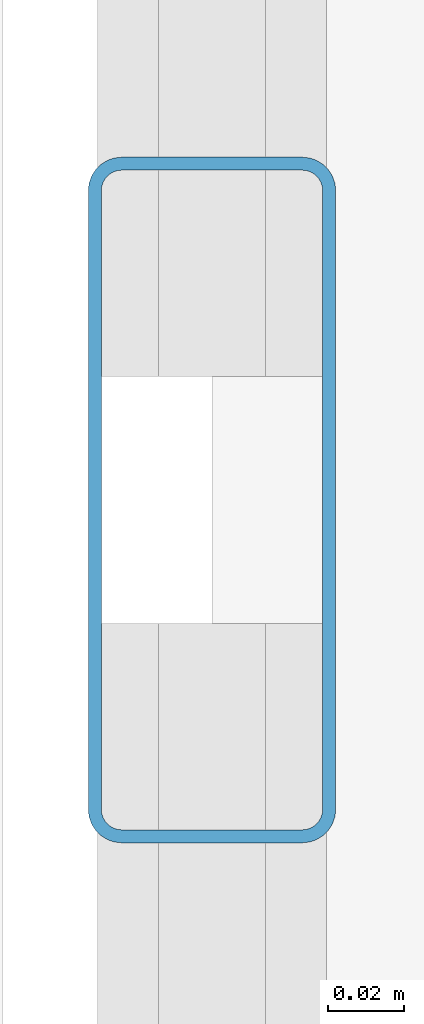
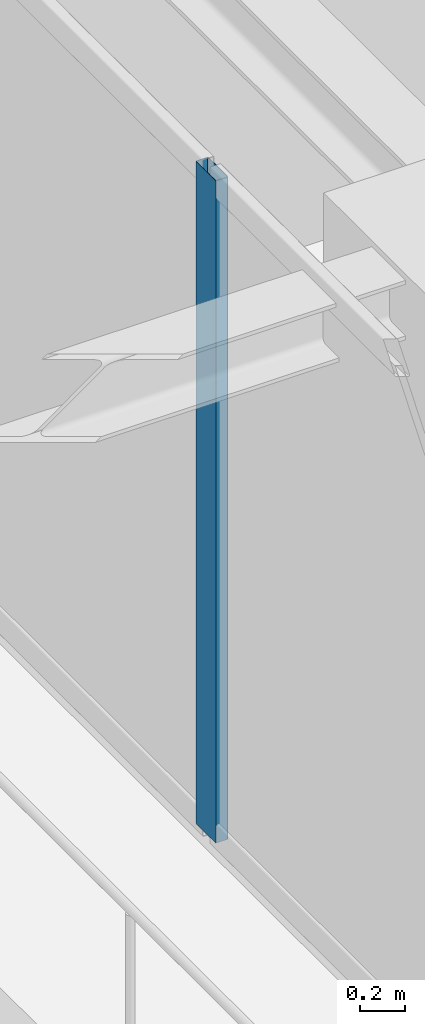
# One storey, part 7 of 37: 1 member, 1 element without a shape of its own.
"""IFC4 building model written with IfcOpenShell, lengths in metres."""

from ifc_helpers import new_model, si_unit, direction, frame, origin, origin_2d, place, context, subcontext, project, spatial, hollow_rectangle, extrude, source, transform, mapped, material, layer, layer_set, material_profile, profile_set, type_object, element, aggregate, save


model = new_model("IFC4")

# Units and contexts
model_context = context("Model", 3, precision=1e-05, world=origin(), true_north=direction((0.0, 1.0)))
body_context = subcontext(model_context, "Body", "Model", "MODEL_VIEW")
ifc_project = project(units=[si_unit("LENGTHUNIT", "METRE"), si_unit("AREAUNIT", "SQUARE_METRE"), si_unit("VOLUMEUNIT", "CUBIC_METRE"), si_unit("PLANEANGLEUNIT", "RADIAN"), si_unit("MASSUNIT", "GRAM", prefix="KILO")], contexts=[model_context])

# Site, building, storey
site_placement = place(None, origin())
site = spatial("IfcSite", under=ifc_project, at=site_placement, CompositionType="ELEMENT")
building_placement = place(site_placement, origin())
building = spatial("IfcBuilding", under=site, at=building_placement, Name="Serunith Strait Residences", CompositionType="ELEMENT")
storey_placement = place(building_placement, frame((0.0, 0.0, 233.550048828125)))
storey = spatial("IfcBuildingStorey", under=building, at=storey_placement, Name="L58", CompositionType="ELEMENT", Elevation=233.550048828125)

# Curtain wall, member
ifc_material = material(Name="Pale-Champagne Anodised Aluminium", Category="aluminium")
ifc_layer = layer(ifc_material, 0.199951171875, Name="Pale-Champagne Anodised Aluminium")
ifc_layer_set = layer_set([ifc_layer], Name="Pale-Champagne Anodised Aluminium")
curtain_wall_type = type_object("IfcCurtainWallType", Name="CW-SYS4", PredefinedType="NOTDEFINED", material=ifc_layer_set)
curtain_wall_placement = place(storey_placement, origin())
curtain_wall = element("IfcCurtainWall", 1, at=curtain_wall_placement, inside=storey, type_object=curtain_wall_type, Name="L58 W Unitised Fritted Curtain Wall", PredefinedType="NOTDEFINED")
ifc_material_profile = material_profile(ifc_material, hollow_rectangle(XDim=0.06494140625, YDim=0.179931640625, WallThickness=0.00341796875, InnerFilletRadius=0.00537109375, OuterFilletRadius=0.0087890625, at=origin_2d()), Name="ALU 180x65x3.5")
ifc_profile_set = profile_set([ifc_material_profile], Name="Pale-Champagne Anodised Aluminium")
member_type = type_object("IfcMemberType", Name="CW-SYS4-MULL", PredefinedType="MULLION", material=ifc_profile_set)
shared_shape = source(origin(), body_context, "Body", "SweptSolid", [
    extrude(hollow_rectangle(XDim=0.06494140625, YDim=0.179931640625, WallThickness=0.00341796875, InnerFilletRadius=0.00537109375, OuterFilletRadius=0.0087890625, at=origin_2d()), origin(), (0.0, 0.0, 1.0), 3.574951171875),
])
member_placement = place(storey_placement, frame((7.39990234375, 22.0, 0.0), z_axis=(0.0, 0.0, 1.0), x_axis=(1.0, 0.0, 0.0)))
member = element("IfcMember", 2, at=member_placement, type_object=member_type, Name="CW-4 mullion 4", PredefinedType="MULLION", context=body_context, shape_type="MappedRepresentation", body=[
    mapped(shared_shape, transform((0.0, 0.0, 0.0), scale=1.0)),
])
aggregate(curtain_wall, [member])

save(model, "model.ifc")
